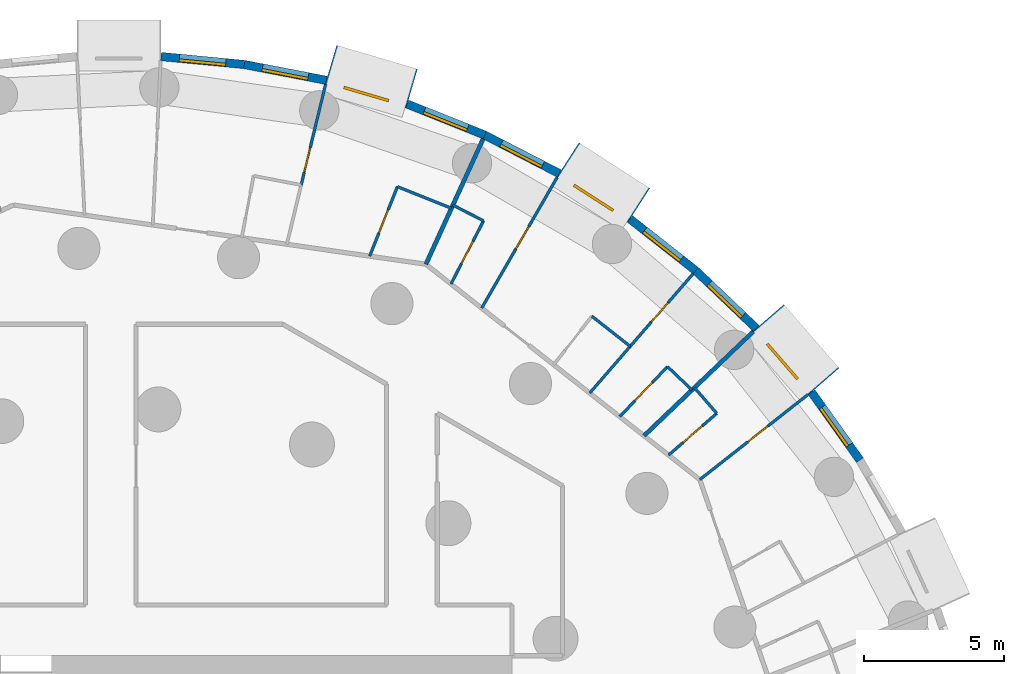
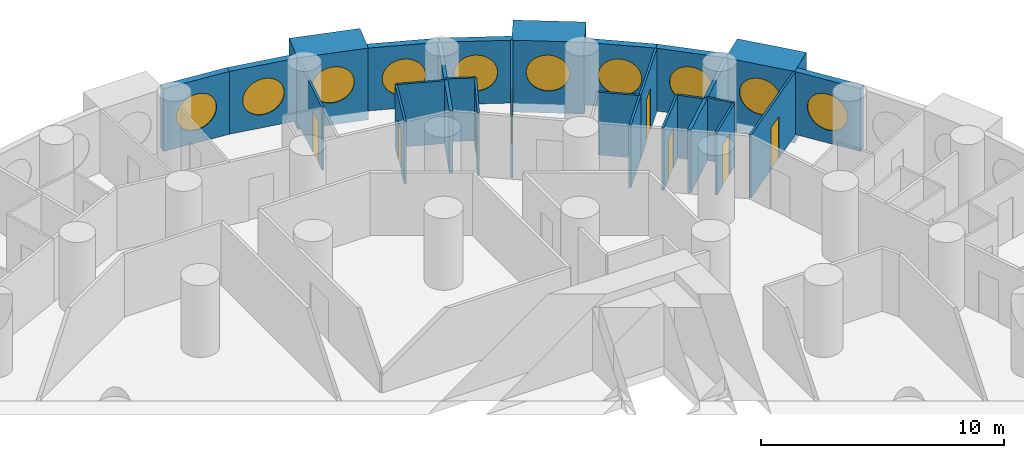
# One storey, part 10 of 12: 26 walls, 10 windows, 8 doors, 18 openings.
"""IFC4 building model written with IfcOpenShell, lengths in metres."""

from ifc_helpers import new_model, si_unit, direction, frame, frame_2d, origin, origin_2d, place, context, subcontext, project, spatial, rectangle, circle, extrude, material, layer, layer_set, type_object, element, fill, save


model = new_model("IFC4")

# Units and contexts
model_context = context("Model", 3, precision=1e-05, world=origin(), true_north=direction((0.0, 1.0)))
body_context = subcontext(model_context, "Body", "Model", "MODEL_VIEW")
ifc_project = project(units=[si_unit("LENGTHUNIT", "METRE"), si_unit("AREAUNIT", "SQUARE_METRE"), si_unit("VOLUMEUNIT", "CUBIC_METRE"), si_unit("PLANEANGLEUNIT", "RADIAN"), si_unit("MASSUNIT", "GRAM", prefix="KILO")], contexts=[model_context])

# Site, building, storey
site_placement = place(None, origin())
site = spatial("IfcSite", under=ifc_project, at=site_placement, CompositionType="ELEMENT")
building_placement = place(site_placement, origin())
building = spatial("IfcBuilding", under=site, at=building_placement, Name="Tracery Tower", CompositionType="ELEMENT")
storey_placement = place(building_placement, frame((0.0, 0.0, 46.199951171875)))
storey = spatial("IfcBuildingStorey", under=building, at=storey_placement, Name="L10", CompositionType="ELEMENT", Elevation=46.199951171875)

# Wall, opening, window
ifc_material_1 = material(Name="Precast concrete C50/60", Category="concrete")
ifc_layer_1 = layer(ifc_material_1, 1.449951171875)
ifc_layer_set_1 = layer_set([ifc_layer_1], Name="Deep-set bay unit 3000 x 3600, slab edge 450")
wall_type_1 = type_object("IfcWallType", Name="Deep-set bay unit 3000 x 3600, slab edge 450", PredefinedType="ELEMENTEDWALL", material=ifc_layer_set_1)
wall_1_placement = place(storey_placement, frame((25.101318359375, 19.765625, -0.449951171875), z_axis=(0.0, 0.0, 1.0), x_axis=(-0.654890259022, 0.75572398972, 0.0)))
wall_1 = element("IfcWall", 1, at=wall_1_placement, inside=storey, type_object=wall_type_1, Name="Deep-set bay unit 8 at L10", PredefinedType="ELEMENTEDWALL", context=body_context, shape_type="SweptSolid", body=[
    extrude(rectangle(XDim=3.0, YDim=1.449951171875, at=frame_2d((1.5, 0.0))), origin(), (0.0, 0.0, 1.0), 3.60009765625),
])
opening_1_placement = place(wall_1_placement, frame((1.5, 0.0, 2.0)))
opening_1 = element("IfcOpeningElement", 2, at=opening_1_placement, cuts=wall_1, Name="Opening WN1", PredefinedType="OPENING", context=body_context, shape_type="SweptSolid", body=[
    extrude(circle(Radius=0.9000244140625, at=origin_2d()), frame((0.0, 0.73486328125, 0.0), z_axis=(0.0, -1.0, 0.0), x_axis=(1.0, 0.0, 0.0)), (0.0, 0.0, 1.0), 1.469970703125),
])
ifc_material_2 = material(Name="Aluminium frame with tinted double glazing", Category="aluminium")
window_type = type_object("IfcWindowType", Name="Round window 1800", PartitioningType="SINGLE_PANEL", PredefinedType="WINDOW", material=ifc_material_2)
window_1_placement = place(opening_1_placement, origin())
window_1 = element("IfcWindow", 3, at=window_1_placement, inside=storey, type_object=window_type, Name="Round window 8 at L10", OverallHeight=1.800048828125, OverallWidth=1.800048828125, PartitioningType="SINGLE_PANEL", PredefinedType="WINDOW", context=body_context, shape_type="SweptSolid", body=[
    extrude(circle(Radius=0.9000244140625, at=origin_2d()), frame((0.0, 0.69482421875, 0.0), z_axis=(0.0, -1.0, 0.0), x_axis=(1.0, 0.0, 0.0)), (0.0, 0.0, 1.0), 0.10009765625),
])
fill(opening_1, window_1)

wall_2_placement = place(storey_placement, frame((18.515869140625, 26.03662109375, -0.449951171875), z_axis=(0.0, 0.0, 1.0), x_axis=(-0.841223422347, 0.540687667415, 0.0)))
wall_2 = element("IfcWall", 4, at=wall_2_placement, inside=storey, type_object=wall_type_1, Name="Deep-set bay unit 11 at L10", PredefinedType="ELEMENTEDWALL", context=body_context, shape_type="SweptSolid", body=[
    extrude(rectangle(XDim=3.0, YDim=1.449951171875, at=frame_2d((1.5, 0.0))), origin(), (0.0, 0.0, 1.0), 3.60009765625),
])
opening_2_placement = place(wall_2_placement, frame((1.5, 0.0, 2.0)))
opening_2 = element("IfcOpeningElement", 5, at=opening_2_placement, cuts=wall_2, Name="Opening WN1", PredefinedType="OPENING", context=body_context, shape_type="SweptSolid", body=[
    extrude(circle(Radius=0.9000244140625, at=origin_2d()), frame((0.0, 0.73486328125, 0.0), z_axis=(0.0, -1.0, 0.0), x_axis=(1.0, 0.0, 0.0)), (0.0, 0.0, 1.0), 1.469970703125),
])
window_2_placement = place(opening_2_placement, origin())
window_2 = element("IfcWindow", 6, at=window_2_placement, inside=storey, type_object=window_type, Name="Round window 11 at L10", OverallHeight=1.800048828125, OverallWidth=1.800048828125, PartitioningType="SINGLE_PANEL", PredefinedType="WINDOW", context=body_context, shape_type="SweptSolid", body=[
    extrude(circle(Radius=0.9000244140625, at=origin_2d()), frame((0.0, 0.69482421875, 0.0), z_axis=(0.0, -1.0, 0.0), x_axis=(1.0, 0.0, 0.0)), (0.0, 0.0, 1.0), 0.10009765625),
])
fill(opening_2, window_2)

wall_3_placement = place(storey_placement, frame((10.430419921875, 30.198486328125, -0.449951171875), z_axis=(0.0, 0.0, 1.0), x_axis=(-0.959489813418, 0.281743319258, 0.0)))
wall_3 = element("IfcWall", 7, at=wall_3_placement, inside=storey, type_object=wall_type_1, Name="Deep-set bay unit 14 at L10", PredefinedType="ELEMENTEDWALL", context=body_context, shape_type="SweptSolid", body=[
    extrude(rectangle(XDim=3.0, YDim=1.449951171875, at=frame_2d((1.5, 0.0))), origin(), (0.0, 0.0, 1.0), 3.60009765625),
])
opening_3_placement = place(wall_3_placement, frame((1.5, 0.0, 2.0)))
opening_3 = element("IfcOpeningElement", 8, at=opening_3_placement, cuts=wall_3, Name="Opening WN1", PredefinedType="OPENING", context=body_context, shape_type="SweptSolid", body=[
    extrude(circle(Radius=0.9000244140625, at=origin_2d()), frame((0.0, 0.73486328125, 0.0), z_axis=(0.0, -1.0, 0.0), x_axis=(1.0, 0.0, 0.0)), (0.0, 0.0, 1.0), 1.469970703125),
])
window_3_placement = place(opening_3_placement, origin())
window_3 = element("IfcWindow", 9, at=window_3_placement, inside=storey, type_object=window_type, Name="Round window 14 at L10", OverallHeight=1.800048828125, OverallWidth=1.800048828125, PartitioningType="SINGLE_PANEL", PredefinedType="WINDOW", context=body_context, shape_type="SweptSolid", body=[
    extrude(circle(Radius=0.9000244140625, at=origin_2d()), frame((0.0, 0.69482421875, 0.0), z_axis=(0.0, -1.0, 0.0), x_axis=(1.0, 0.0, 0.0)), (0.0, 0.0, 1.0), 0.10009765625),
])
fill(opening_3, window_3)

ifc_material_3 = material(Name="Precast concrete C50/60", Category="concrete")
ifc_layer_2 = layer(ifc_material_3, 0.300048828125)
ifc_layer_set_2 = layer_set([ifc_layer_2], Name="Facade panel 3000 x 3150")
wall_type_2 = type_object("IfcWallType", Name="Facade panel 3000 x 3150", PredefinedType="SOLIDWALL", material=ifc_layer_set_2)
wall_4_placement = place(storey_placement, frame((26.393798828125, 16.96240234375, 0.0), z_axis=(0.0, 0.0, 1.0), x_axis=(-0.580059407678, 0.81457417315, 0.0)))
wall_4 = element("IfcWall", 10, at=wall_4_placement, inside=storey, type_object=wall_type_2, Name="Facade panel 7 at L10", PredefinedType="SOLIDWALL", context=body_context, shape_type="SweptSolid", body=[
    extrude(rectangle(XDim=2.9794921875, YDim=0.300048828125, at=frame_2d((1.48974609375, 0.0))), origin(), (0.0, 0.0, 1.0), 3.150146484375),
])
opening_4_placement = place(wall_4_placement, frame((1.48974609375, 0.0, 1.5498046875)))
opening_4 = element("IfcOpeningElement", 11, at=opening_4_placement, cuts=wall_4, Name="Opening WN1", PredefinedType="OPENING", context=body_context, shape_type="SweptSolid", body=[
    extrude(circle(Radius=0.9000244140625, at=origin_2d()), frame((0.0, 0.159912109375, 0.0), z_axis=(0.0, -1.0, 0.0), x_axis=(1.0, 0.0, 0.0)), (0.0, 0.0, 1.0), 0.320068359375),
])
window_4_placement = place(opening_4_placement, origin())
window_4 = element("IfcWindow", 12, at=window_4_placement, inside=storey, type_object=window_type, Name="Round window 7 at L10", OverallHeight=1.800048828125, OverallWidth=1.800048828125, PartitioningType="SINGLE_PANEL", PredefinedType="WINDOW", context=body_context, shape_type="SweptSolid", body=[
    extrude(circle(Radius=0.9000244140625, at=origin_2d()), frame((0.0, 0.1201171875, 0.0), z_axis=(0.0, -1.0, 0.0), x_axis=(1.0, 0.0, 0.0)), (0.0, 0.0, 1.0), 0.10009765625),
])
fill(opening_4, window_4)

wall_5_placement = place(storey_placement, frame((22.702392578125, 21.655029296875, 0.0), z_axis=(0.0, 0.0, 1.0), x_axis=(-0.723744206617, 0.690068346896, 0.0)))
wall_5 = element("IfcWall", 13, at=wall_5_placement, inside=storey, type_object=wall_type_2, Name="Facade panel 9 at L10", PredefinedType="SOLIDWALL", context=body_context, shape_type="SweptSolid", body=[
    extrude(rectangle(XDim=2.979736328125, YDim=0.300048828125, at=frame_2d((1.48974609375, 0.0))), origin(), (0.0, 0.0, 1.0), 3.150146484375),
])
opening_5_placement = place(wall_5_placement, frame((1.48974609375, 0.0, 1.5498046875)))
opening_5 = element("IfcOpeningElement", 14, at=opening_5_placement, cuts=wall_5, Name="Opening WN1", PredefinedType="OPENING", context=body_context, shape_type="SweptSolid", body=[
    extrude(circle(Radius=0.9000244140625, at=origin_2d()), frame((0.0, 0.159912109375, 0.0), z_axis=(0.0, -1.0, 0.0), x_axis=(1.0, 0.0, 0.0)), (0.0, 0.0, 1.0), 0.320068359375),
])
window_5_placement = place(opening_5_placement, origin())
window_5 = element("IfcWindow", 15, at=window_5_placement, inside=storey, type_object=window_type, Name="Round window 9 at L10", OverallHeight=1.800048828125, OverallWidth=1.800048828125, PartitioningType="SINGLE_PANEL", PredefinedType="WINDOW", context=body_context, shape_type="SweptSolid", body=[
    extrude(circle(Radius=0.9000244140625, at=origin_2d()), frame((0.0, 0.1201171875, 0.0), z_axis=(0.0, -1.0, 0.0), x_axis=(1.0, 0.0, 0.0)), (0.0, 0.0, 1.0), 0.10009765625),
])
fill(opening_5, window_5)

wall_6_placement = place(storey_placement, frame((20.5458984375, 23.711181640625, 0.0), z_axis=(0.0, 0.0, 1.0), x_axis=(-0.786045331304, 0.618168858108, 0.0)))
wall_6 = element("IfcWall", 16, at=wall_6_placement, inside=storey, type_object=wall_type_2, Name="Facade panel 10 at L10", PredefinedType="SOLIDWALL", context=body_context, shape_type="SweptSolid", body=[
    extrude(rectangle(XDim=2.979736328125, YDim=0.300048828125, at=frame_2d((1.48974609375, 0.0))), origin(), (0.0, 0.0, 1.0), 3.150146484375),
])
opening_6_placement = place(wall_6_placement, frame((1.48974609375, 0.0, 1.5498046875)))
opening_6 = element("IfcOpeningElement", 17, at=opening_6_placement, cuts=wall_6, Name="Opening WN1", PredefinedType="OPENING", context=body_context, shape_type="SweptSolid", body=[
    extrude(circle(Radius=0.9000244140625, at=origin_2d()), frame((0.0, 0.159912109375, 0.0), z_axis=(0.0, -1.0, 0.0), x_axis=(1.0, 0.0, 0.0)), (0.0, 0.0, 1.0), 0.320068359375),
])
window_6_placement = place(opening_6_placement, origin())
window_6 = element("IfcWindow", 18, at=window_6_placement, inside=storey, type_object=window_type, Name="Round window 10 at L10", OverallHeight=1.800048828125, OverallWidth=1.800048828125, PartitioningType="SINGLE_PANEL", PredefinedType="WINDOW", context=body_context, shape_type="SweptSolid", body=[
    extrude(circle(Radius=0.9000244140625, at=origin_2d()), frame((0.0, 0.1201171875, 0.0), z_axis=(0.0, -1.0, 0.0), x_axis=(1.0, 0.0, 0.0)), (0.0, 0.0, 1.0), 0.10009765625),
])
fill(opening_6, window_6)

wall_7_placement = place(storey_placement, frame((15.681884765625, 27.173828125, 0.0), z_axis=(0.0, 0.0, 1.0), x_axis=(-0.888819853856, 0.458256770153, 0.0)))
wall_7 = element("IfcWall", 19, at=wall_7_placement, inside=storey, type_object=wall_type_2, Name="Facade panel 12 at L10", PredefinedType="SOLIDWALL", context=body_context, shape_type="SweptSolid", body=[
    extrude(rectangle(XDim=2.979736328125, YDim=0.300048828125, at=frame_2d((1.48974609375, 0.0))), origin(), (0.0, 0.0, 1.0), 3.150146484375),
])
opening_7_placement = place(wall_7_placement, frame((1.48974609375, 0.0, 1.5498046875)))
opening_7 = element("IfcOpeningElement", 20, at=opening_7_placement, cuts=wall_7, Name="Opening WN1", PredefinedType="OPENING", context=body_context, shape_type="SweptSolid", body=[
    extrude(circle(Radius=0.9000244140625, at=origin_2d()), frame((0.0, 0.159912109375, 0.0), z_axis=(0.0, -1.0, 0.0), x_axis=(1.0, 0.0, 0.0)), (0.0, 0.0, 1.0), 0.320068359375),
])
window_7_placement = place(opening_7_placement, origin())
window_7 = element("IfcWindow", 21, at=window_7_placement, inside=storey, type_object=window_type, Name="Round window 12 at L10", OverallHeight=1.800048828125, OverallWidth=1.800048828125, PartitioningType="SINGLE_PANEL", PredefinedType="WINDOW", context=body_context, shape_type="SweptSolid", body=[
    extrude(circle(Radius=0.9000244140625, at=origin_2d()), frame((0.0, 0.1201171875, 0.0), z_axis=(0.0, -1.0, 0.0), x_axis=(1.0, 0.0, 0.0)), (0.0, 0.0, 1.0), 0.10009765625),
])
fill(opening_7, window_7)

wall_8_placement = place(storey_placement, frame((13.033447265625, 28.539306640625, 0.0), z_axis=(0.0, 0.0, 1.0), x_axis=(-0.928403213937, 0.371574316054, 0.0)))
wall_8 = element("IfcWall", 22, at=wall_8_placement, inside=storey, type_object=wall_type_2, Name="Facade panel 13 at L10", PredefinedType="SOLIDWALL", context=body_context, shape_type="SweptSolid", body=[
    extrude(rectangle(XDim=2.979736328125, YDim=0.300048828125, at=frame_2d((1.48974609375, 0.0))), origin(), (0.0, 0.0, 1.0), 3.150146484375),
])
opening_8_placement = place(wall_8_placement, frame((1.48974609375, 0.0, 1.5498046875)))
opening_8 = element("IfcOpeningElement", 23, at=opening_8_placement, cuts=wall_8, Name="Opening WN1", PredefinedType="OPENING", context=body_context, shape_type="SweptSolid", body=[
    extrude(circle(Radius=0.9000244140625, at=origin_2d()), frame((0.0, 0.159912109375, 0.0), z_axis=(0.0, -1.0, 0.0), x_axis=(1.0, 0.0, 0.0)), (0.0, 0.0, 1.0), 0.320068359375),
])
window_8_placement = place(opening_8_placement, origin())
window_8 = element("IfcWindow", 24, at=window_8_placement, inside=storey, type_object=window_type, Name="Round window 13 at L10", OverallHeight=1.800048828125, OverallWidth=1.800048828125, PartitioningType="SINGLE_PANEL", PredefinedType="WINDOW", context=body_context, shape_type="SweptSolid", body=[
    extrude(circle(Radius=0.9000244140625, at=origin_2d()), frame((0.0, 0.1201171875, 0.0), z_axis=(0.0, -1.0, 0.0), x_axis=(1.0, 0.0, 0.0)), (0.0, 0.0, 1.0), 0.10009765625),
])
fill(opening_8, window_8)

wall_9_placement = place(storey_placement, frame((7.390869140625, 30.4912109375, 0.0), z_axis=(0.0, 0.0, 1.0), x_axis=(-0.981924535406, 0.189272836848, 0.0)))
wall_9 = element("IfcWall", 25, at=wall_9_placement, inside=storey, type_object=wall_type_2, Name="Facade panel 15 at L10", PredefinedType="SOLIDWALL", context=body_context, shape_type="SweptSolid", body=[
    extrude(rectangle(XDim=2.979736328125, YDim=0.300048828125, at=frame_2d((1.48974609375, 0.0))), origin(), (0.0, 0.0, 1.0), 3.150146484375),
])
opening_9_placement = place(wall_9_placement, frame((1.48974609375, 0.0, 1.5498046875)))
opening_9 = element("IfcOpeningElement", 26, at=opening_9_placement, cuts=wall_9, Name="Opening WN1", PredefinedType="OPENING", context=body_context, shape_type="SweptSolid", body=[
    extrude(circle(Radius=0.9000244140625, at=origin_2d()), frame((0.0, 0.159912109375, 0.0), z_axis=(0.0, -1.0, 0.0), x_axis=(1.0, 0.0, 0.0)), (0.0, 0.0, 1.0), 0.320068359375),
])
window_9_placement = place(opening_9_placement, origin())
window_9 = element("IfcWindow", 27, at=window_9_placement, inside=storey, type_object=window_type, Name="Round window 15 at L10", OverallHeight=1.800048828125, OverallWidth=1.800048828125, PartitioningType="SINGLE_PANEL", PredefinedType="WINDOW", context=body_context, shape_type="SweptSolid", body=[
    extrude(circle(Radius=0.9000244140625, at=origin_2d()), frame((0.0, 0.1201171875, 0.0), z_axis=(0.0, -1.0, 0.0), x_axis=(1.0, 0.0, 0.0)), (0.0, 0.0, 1.0), 0.10009765625),
])
fill(opening_9, window_9)

wall_10_placement = place(storey_placement, frame((4.465087890625, 31.05517578125, 0.0), z_axis=(0.0, 0.0, 1.0), x_axis=(-0.995473351551, 0.095041077185, 0.0)))
wall_10 = element("IfcWall", 28, at=wall_10_placement, inside=storey, type_object=wall_type_2, Name="Facade panel 16 at L10", PredefinedType="SOLIDWALL", context=body_context, shape_type="SweptSolid", body=[
    extrude(rectangle(XDim=2.979736328125, YDim=0.300048828125, at=frame_2d((1.48974609375, 0.0))), origin(), (0.0, 0.0, 1.0), 3.150146484375),
])
opening_10_placement = place(wall_10_placement, frame((1.48974609375, 0.0, 1.5498046875)))
opening_10 = element("IfcOpeningElement", 29, at=opening_10_placement, cuts=wall_10, Name="Opening WN1", PredefinedType="OPENING", context=body_context, shape_type="SweptSolid", body=[
    extrude(circle(Radius=0.9000244140625, at=origin_2d()), frame((0.0, 0.159912109375, 0.0), z_axis=(0.0, -1.0, 0.0), x_axis=(1.0, 0.0, 0.0)), (0.0, 0.0, 1.0), 0.320068359375),
])
window_10_placement = place(opening_10_placement, origin())
window_10 = element("IfcWindow", 30, at=window_10_placement, inside=storey, type_object=window_type, Name="Round window 16 at L10", OverallHeight=1.800048828125, OverallWidth=1.800048828125, PartitioningType="SINGLE_PANEL", PredefinedType="WINDOW", context=body_context, shape_type="SweptSolid", body=[
    extrude(circle(Radius=0.9000244140625, at=origin_2d()), frame((0.0, 0.1201171875, 0.0), z_axis=(0.0, -1.0, 0.0), x_axis=(1.0, 0.0, 0.0)), (0.0, 0.0, 1.0), 0.10009765625),
])
fill(opening_10, window_10)

# Wall, opening, door
ifc_material_4 = material(Name="Plasterboard on steel studs", Category="steel")
ifc_layer_3 = layer(ifc_material_4, 0.10009765625)
ifc_layer_set_3 = layer_set([ifc_layer_3], Name="Partition 100 stud")
wall_type_3 = type_object("IfcWallType", Name="Partition 100 stud", PredefinedType="PARTITIONING", material=ifc_layer_set_3)
wall_11_placement = place(storey_placement, frame((20.68798828125, 16.26904296875, 0.0), z_axis=(0.0, 0.0, 1.0), x_axis=(0.78599357822, 0.618234660139, 0.0)))
wall_11 = element("IfcWall", 31, at=wall_11_placement, inside=storey, type_object=wall_type_3, Name="Stud partition RA2-073", PredefinedType="PARTITIONING", context=body_context, shape_type="SweptSolid", body=[
    extrude(rectangle(XDim=4.90576171875, YDim=0.10009765625, at=frame_2d((2.452880859375, 0.0))), origin(), (0.0, 0.0, 1.0), 3.150146484375),
])
opening_11_placement = place(wall_11_placement, frame((2.18310546875, 0.0, 0.0)))
opening_11 = element("IfcOpeningElement", 32, at=opening_11_placement, cuts=wall_11, Name="Opening RA2-19", PredefinedType="OPENING", context=body_context, shape_type="SweptSolid", body=[
    extrude(rectangle(XDim=0.89990234375, YDim=2.10009765625, at=frame_2d((0.449951171875, 1.050048828125))), frame((0.0, 0.050048828125, 0.0), z_axis=(0.0, -1.0, 0.0), x_axis=(1.0, 0.0, 0.0)), (0.0, 0.0, 1.0), 0.10009765625),
])
ifc_material_5 = material(Name="Timber door leaf", Category="wood")
door_type_1 = type_object("IfcDoorType", Name="Door bedroom 900", OperationType="NOTDEFINED", PredefinedType="DOOR", material=ifc_material_5)
door_1_placement = place(opening_11_placement, origin())
door_1 = element("IfcDoor", 33, at=door_1_placement, inside=storey, type_object=door_type_1, Name="Bedroom door RA2-19", OperationType="SINGLE_SWING_RIGHT", OverallHeight=2.10009765625, OverallWidth=0.89990234375, PredefinedType="DOOR", context=body_context, shape_type="SweptSolid", body=[
    extrude(rectangle(XDim=0.89990234375, YDim=2.10009765625, at=frame_2d((0.449951171875, 1.050048828125))), frame((0.0, 0.02490234375, 0.0), z_axis=(0.0, -1.0, 0.0), x_axis=(1.0, 0.0, 0.0)), (0.0, 0.0, 1.0), 0.050048828125),
])
fill(opening_11, door_1)

wall_12_placement = place(storey_placement, frame((18.2099609375, 21.01611328125, 0.0), z_axis=(0.0, 0.0, 1.0), x_axis=(0.655012143666, 0.755618350525, 0.0)))
wall_12 = element("IfcWall", 34, at=wall_12_placement, inside=storey, type_object=wall_type_3, Name="Stud partition RA2-082", PredefinedType="PARTITIONING", context=body_context, shape_type="SweptSolid", body=[
    extrude(rectangle(XDim=3.416748046875, YDim=0.10009765625, at=frame_2d((1.70849609375, 0.0))), origin(), (0.0, 0.0, 1.0), 3.150146484375),
])
opening_12_placement = place(wall_12_placement, frame((1.15283203125, 0.0, 0.0)))
opening_12 = element("IfcOpeningElement", 35, at=opening_12_placement, cuts=wall_12, Name="Opening RA2-23", PredefinedType="OPENING", context=body_context, shape_type="SweptSolid", body=[
    extrude(rectangle(XDim=0.89990234375, YDim=2.10009765625, at=frame_2d((0.449951171875, 1.050048828125))), frame((0.0, 0.050048828125, 0.0), z_axis=(0.0, -1.0, 0.0), x_axis=(1.0, 0.0, 0.0)), (0.0, 0.0, 1.0), 0.10009765625),
])
door_2_placement = place(opening_12_placement, origin())
door_2 = element("IfcDoor", 36, at=door_2_placement, inside=storey, type_object=door_type_1, Name="Bedroom door RA2-23", OperationType="SINGLE_SWING_RIGHT", OverallHeight=2.10009765625, OverallWidth=0.89990234375, PredefinedType="DOOR", context=body_context, shape_type="SweptSolid", body=[
    extrude(rectangle(XDim=0.89990234375, YDim=2.10009765625, at=frame_2d((0.449951171875, 1.050048828125))), frame((0.0, 0.02490234375, 0.0), z_axis=(0.0, -1.0, 0.0), x_axis=(1.0, 0.0, 0.0)), (0.0, 0.0, 1.0), 0.050048828125),
])
fill(opening_12, door_2)

wall_13_placement = place(storey_placement, frame((12.919921875, 22.3779296875, 0.0), z_axis=(0.0, 0.0, 1.0), x_axis=(0.49998673258, 0.866033063597, 0.0)))
wall_13 = element("IfcWall", 37, at=wall_13_placement, inside=storey, type_object=wall_type_3, Name="Stud partition RA2-083", PredefinedType="PARTITIONING", context=body_context, shape_type="SweptSolid", body=[
    extrude(rectangle(XDim=5.384521484375, YDim=0.10009765625, at=frame_2d((2.6923828125, 0.0))), origin(), (0.0, 0.0, 1.0), 3.150146484375),
])
opening_13_placement = place(wall_13_placement, frame((2.446044921875, 0.0, 0.0)))
opening_13 = element("IfcOpeningElement", 38, at=opening_13_placement, cuts=wall_13, Name="Opening RA2-25", PredefinedType="OPENING", context=body_context, shape_type="SweptSolid", body=[
    extrude(rectangle(XDim=0.89990234375, YDim=2.10009765625, at=frame_2d((0.449951171875, 1.050048828125))), frame((0.0, 0.050048828125, 0.0), z_axis=(0.0, -1.0, 0.0), x_axis=(1.0, 0.0, 0.0)), (0.0, 0.0, 1.0), 0.10009765625),
])
door_3_placement = place(opening_13_placement, origin())
door_3 = element("IfcDoor", 39, at=door_3_placement, inside=storey, type_object=door_type_1, Name="Bedroom door RA2-25", OperationType="SINGLE_SWING_RIGHT", OverallHeight=2.10009765625, OverallWidth=0.89990234375, PredefinedType="DOOR", context=body_context, shape_type="SweptSolid", body=[
    extrude(rectangle(XDim=0.89990234375, YDim=2.10009765625, at=frame_2d((0.449951171875, 1.050048828125))), frame((0.0, 0.02490234375, 0.0), z_axis=(0.0, -1.0, 0.0), x_axis=(1.0, 0.0, 0.0)), (0.0, 0.0, 1.0), 0.050048828125),
])
fill(opening_13, door_3)

wall_14_placement = place(storey_placement, frame((6.491943359375, 26.761962890625, 0.0), z_axis=(0.0, 0.0, 1.0), x_axis=(0.235797175218, 0.971802290674, 0.0)))
wall_14 = element("IfcWall", 40, at=wall_14_placement, inside=storey, type_object=wall_type_3, Name="Stud partition RA2-093", PredefinedType="PARTITIONING", context=body_context, shape_type="SweptSolid", body=[
    extrude(rectangle(XDim=3.68603515625, YDim=0.10009765625, at=frame_2d((1.843017578125, 0.0))), origin(), (0.0, 0.0, 1.0), 3.150146484375),
])
opening_14_placement = place(wall_14_placement, frame((0.473876953125, 0.0, 0.0)))
opening_14 = element("IfcOpeningElement", 41, at=opening_14_placement, cuts=wall_14, Name="Opening RA2-30", PredefinedType="OPENING", context=body_context, shape_type="SweptSolid", body=[
    extrude(rectangle(XDim=0.89990234375, YDim=2.10009765625, at=frame_2d((0.449951171875, 1.050048828125))), frame((0.0, 0.050048828125, 0.0), z_axis=(0.0, -1.0, 0.0), x_axis=(1.0, 0.0, 0.0)), (0.0, 0.0, 1.0), 0.10009765625),
])
door_4_placement = place(opening_14_placement, origin())
door_4 = element("IfcDoor", 42, at=door_4_placement, inside=storey, type_object=door_type_1, Name="Bedroom door RA2-30", OperationType="SINGLE_SWING_RIGHT", OverallHeight=2.10009765625, OverallWidth=0.89990234375, PredefinedType="DOOR", context=body_context, shape_type="SweptSolid", body=[
    extrude(rectangle(XDim=0.89990234375, YDim=2.10009765625, at=frame_2d((0.449951171875, 1.050048828125))), frame((0.0, 0.02490234375, 0.0), z_axis=(0.0, -1.0, 0.0), x_axis=(1.0, 0.0, 0.0)), (0.0, 0.0, 1.0), 0.050048828125),
])
fill(opening_14, door_4)

ifc_material_6 = material(Name="Plasterboard on steel studs", Category="steel")
ifc_layer_4 = layer(ifc_material_6, 0.10009765625)
ifc_layer_set_4 = layer_set([ifc_layer_4], Name="Partition 100 wet wall")
wall_type_4 = type_object("IfcWallType", Name="Partition 100 wet wall", PredefinedType="PARTITIONING", material=ifc_layer_set_4)
wall_15_placement = place(storey_placement, frame((19.576904296875, 17.14306640625, 0.0), z_axis=(0.0, 0.0, 1.0), x_axis=(0.755813315469, 0.654787165543, 0.0)))
wall_15 = element("IfcWall", 43, at=wall_15_placement, inside=storey, type_object=wall_type_4, Name="Wet wall RA2-077", PredefinedType="PARTITIONING", context=body_context, shape_type="SweptSolid", body=[
    extrude(rectangle(XDim=2.269287109375, YDim=0.10009765625, at=frame_2d((1.134765625, 0.0))), origin(), (0.0, 0.0, 1.0), 3.150146484375),
])
opening_15_placement = place(wall_15_placement, frame((0.68505859375, 0.0, 0.0)))
opening_15 = element("IfcOpeningElement", 44, at=opening_15_placement, cuts=wall_15, Name="Opening RA2-20", PredefinedType="OPENING", context=body_context, shape_type="SweptSolid", body=[
    extrude(rectangle(XDim=0.89990234375, YDim=2.0400390625, at=frame_2d((0.449951171875, 1.02001953125))), frame((0.0, 0.050048828125, 0.0), z_axis=(0.0, -1.0, 0.0), x_axis=(1.0, 0.0, 0.0)), (0.0, 0.0, 1.0), 0.10009765625),
])
ifc_material_7 = material(Name="Timber door leaf", Category="wood")
door_type_2 = type_object("IfcDoorType", Name="Door en-suite 900", OperationType="NOTDEFINED", PredefinedType="DOOR", material=ifc_material_7)
door_5_placement = place(opening_15_placement, origin())
door_5 = element("IfcDoor", 45, at=door_5_placement, inside=storey, type_object=door_type_2, Name="En-suite door RA2-20", OperationType="SINGLE_SWING_RIGHT", OverallHeight=2.0400390625, OverallWidth=0.89990234375, PredefinedType="DOOR", context=body_context, shape_type="SweptSolid", body=[
    extrude(rectangle(XDim=0.89990234375, YDim=2.0400390625, at=frame_2d((0.449951171875, 1.02001953125))), frame((0.0, 0.02490234375, 0.0), z_axis=(0.0, -1.0, 0.0), x_axis=(1.0, 0.0, 0.0)), (0.0, 0.0, 1.0), 0.050048828125),
])
fill(opening_15, door_5)

# Walls
wall_16_placement = place(storey_placement, frame((20.4990234375, 19.544921875, 0.0), z_axis=(0.0, 0.0, 1.0), x_axis=(0.654500819756, -0.756061291787, 0.0)))
element("IfcWall", 46, at=wall_16_placement, inside=storey, type_object=wall_type_4, Name="Wet wall RA2-078", PredefinedType="PARTITIONING", context=body_context, shape_type="SweptSolid", body=[
    extrude(rectangle(XDim=1.211669921875, YDim=0.10009765625, at=frame_2d((0.60595703125, 0.0))), origin(), (0.0, 0.0, 1.0), 3.150146484375),
])
wall_17_placement = place(storey_placement, frame((16.844970703125, 22.090087890625, 0.0), z_axis=(0.0, 0.0, 1.0), x_axis=(0.785903559082, -0.618349088964, 0.0)))
element("IfcWall", 47, at=wall_17_placement, inside=storey, type_object=wall_type_4, Name="Wet wall RA2-080", PredefinedType="PARTITIONING", context=body_context, shape_type="SweptSolid", body=[
    extrude(rectangle(XDim=1.73681640625, YDim=0.10009765625, at=frame_2d((0.868408203125, 0.0))), origin(), (0.0, 0.0, 1.0), 3.150146484375),
])
wall_18_placement = place(storey_placement, frame((16.76806640625, 19.35205078125, 0.0), z_axis=(0.0, 0.0, 1.0), x_axis=(0.654854551667, 0.755754931284, 0.0)))
element("IfcWall", 48, at=wall_18_placement, inside=storey, type_object=wall_type_4, Name="Wet wall RA2-084", PredefinedType="PARTITIONING", context=body_context, shape_type="SweptSolid", body=[
    extrude(rectangle(XDim=2.201904296875, YDim=0.10009765625, at=frame_2d((1.10107421875, 0.0))), origin(), (0.0, 0.0, 1.0), 3.150146484375),
])
wall_19_placement = place(storey_placement, frame((19.5380859375, 20.2939453125, 0.0), z_axis=(0.0, 0.0, 1.0), x_axis=(0.723810439605, -0.689998875013, 0.0)))
element("IfcWall", 49, at=wall_19_placement, inside=storey, type_object=wall_type_4, Name="Wet wall RA2-085", PredefinedType="PARTITIONING", context=body_context, shape_type="SweptSolid", body=[
    extrude(rectangle(XDim=1.205810546875, YDim=0.10009765625, at=frame_2d((0.60302734375, 0.0))), origin(), (0.0, 0.0, 1.0), 3.150146484375),
])

# Wall, opening, door
wall_20_placement = place(storey_placement, frame((17.8369140625, 18.510986328125, 0.0), z_axis=(0.0, 0.0, 1.0), x_axis=(0.690317861289, 0.723506220005, 0.0)))
wall_20 = element("IfcWall", 50, at=wall_20_placement, inside=storey, type_object=wall_type_4, Name="Wet wall RA2-086", PredefinedType="PARTITIONING", context=body_context, shape_type="SweptSolid", body=[
    extrude(rectangle(XDim=2.46435546875, YDim=0.10009765625, at=frame_2d((1.232177734375, 0.0))), origin(), (0.0, 0.0, 1.0), 3.150146484375),
])
opening_16_placement = place(wall_20_placement, frame((0.7822265625, 0.0, 0.0)))
opening_16 = element("IfcOpeningElement", 51, at=opening_16_placement, cuts=wall_20, Name="Opening RA2-24", PredefinedType="OPENING", context=body_context, shape_type="SweptSolid", body=[
    extrude(rectangle(XDim=0.89990234375, YDim=2.0400390625, at=frame_2d((0.449951171875, 1.02001953125))), frame((0.0, 0.050048828125, 0.0), z_axis=(0.0, -1.0, 0.0), x_axis=(1.0, 0.0, 0.0)), (0.0, 0.0, 1.0), 0.10009765625),
])
door_6_placement = place(opening_16_placement, origin())
door_6 = element("IfcDoor", 52, at=door_6_placement, inside=storey, type_object=door_type_2, Name="En-suite door RA2-24", OperationType="SINGLE_SWING_LEFT", OverallHeight=2.0400390625, OverallWidth=0.89990234375, PredefinedType="DOOR", context=body_context, shape_type="SweptSolid", body=[
    extrude(rectangle(XDim=0.89990234375, YDim=2.0400390625, at=frame_2d((0.449951171875, 1.02001953125))), frame((0.0, 0.02490234375, 0.0), z_axis=(0.0, -1.0, 0.0), x_axis=(1.0, 0.0, 0.0)), (0.0, 0.0, 1.0), 0.050048828125),
])
fill(opening_16, door_6)

wall_21_placement = place(storey_placement, frame((11.826904296875, 23.237060546875, 0.0), z_axis=(0.0, 0.0, 1.0), x_axis=(0.45814144004, 0.888879306159, 0.0)))
wall_21 = element("IfcWall", 53, at=wall_21_placement, inside=storey, type_object=wall_type_4, Name="Wet wall RA2-087", PredefinedType="PARTITIONING", context=body_context, shape_type="SweptSolid", body=[
    extrude(rectangle(XDim=2.5302734375, YDim=0.10009765625, at=frame_2d((1.26513671875, 0.0))), origin(), (0.0, 0.0, 1.0), 3.150146484375),
])
opening_17_placement = place(wall_21_placement, frame((0.81494140625, 0.0, 0.0)))
opening_17 = element("IfcOpeningElement", 54, at=opening_17_placement, cuts=wall_21, Name="Opening RA2-26", PredefinedType="OPENING", context=body_context, shape_type="SweptSolid", body=[
    extrude(rectangle(XDim=0.89990234375, YDim=2.0400390625, at=frame_2d((0.449951171875, 1.02001953125))), frame((0.0, 0.050048828125, 0.0), z_axis=(0.0, -1.0, 0.0), x_axis=(1.0, 0.0, 0.0)), (0.0, 0.0, 1.0), 0.10009765625),
])
door_7_placement = place(opening_17_placement, origin())
door_7 = element("IfcDoor", 55, at=door_7_placement, inside=storey, type_object=door_type_2, Name="En-suite door RA2-26", OperationType="SINGLE_SWING_LEFT", OverallHeight=2.0400390625, OverallWidth=0.89990234375, PredefinedType="DOOR", context=body_context, shape_type="SweptSolid", body=[
    extrude(rectangle(XDim=0.89990234375, YDim=2.0400390625, at=frame_2d((0.449951171875, 1.02001953125))), frame((0.0, 0.02490234375, 0.0), z_axis=(0.0, -1.0, 0.0), x_axis=(1.0, 0.0, 0.0)), (0.0, 0.0, 1.0), 0.050048828125),
])
fill(opening_17, door_7)

# Walls
wall_22_placement = place(storey_placement, frame((11.89599609375, 26.048095703125, 0.0), z_axis=(0.0, 0.0, 1.0), x_axis=(0.888824704595, -0.458247361697, 0.0)))
element("IfcWall", 56, at=wall_22_placement, inside=storey, type_object=wall_type_4, Name="Wet wall RA2-088", PredefinedType="PARTITIONING", context=body_context, shape_type="SweptSolid", body=[
    extrude(rectangle(XDim=1.226318359375, YDim=0.10009765625, at=frame_2d((0.61328125, 0.0))), origin(), (0.0, 0.0, 1.0), 3.150146484375),
])
wall_23_placement = place(storey_placement, frame((9.9208984375, 26.7041015625, 0.0), z_axis=(0.0, 0.0, 1.0), x_axis=(0.928346586681, -0.37171577179, 0.0)))
element("IfcWall", 57, at=wall_23_placement, inside=storey, type_object=wall_type_4, Name="Wet wall RA2-096", PredefinedType="PARTITIONING", context=body_context, shape_type="SweptSolid", body=[
    extrude(rectangle(XDim=2.071533203125, YDim=0.10009765625, at=frame_2d((1.03564453125, 0.0))), origin(), (0.0, 0.0, 1.0), 3.150146484375),
])

# Wall, opening, door
wall_24_placement = place(storey_placement, frame((8.929931640625, 24.22802734375, 0.0), z_axis=(0.0, 0.0, 1.0), x_axis=(0.371564281805, 0.928407229876, 0.0)))
wall_24 = element("IfcWall", 58, at=wall_24_placement, inside=storey, type_object=wall_type_4, Name="Wet wall RA2-097", PredefinedType="PARTITIONING", context=body_context, shape_type="SweptSolid", body=[
    extrude(rectangle(XDim=2.6669921875, YDim=0.10009765625, at=frame_2d((1.33349609375, 0.0))), origin(), (0.0, 0.0, 1.0), 3.150146484375),
])
opening_18_placement = place(wall_24_placement, frame((0.884033203125, 0.0, 0.0)))
opening_18 = element("IfcOpeningElement", 59, at=opening_18_placement, cuts=wall_24, Name="Opening RA2-31", PredefinedType="OPENING", context=body_context, shape_type="SweptSolid", body=[
    extrude(rectangle(XDim=0.89990234375, YDim=2.0400390625, at=frame_2d((0.449951171875, 1.02001953125))), frame((0.0, 0.050048828125, 0.0), z_axis=(0.0, -1.0, 0.0), x_axis=(1.0, 0.0, 0.0)), (0.0, 0.0, 1.0), 0.10009765625),
])
door_8_placement = place(opening_18_placement, origin())
door_8 = element("IfcDoor", 60, at=door_8_placement, inside=storey, type_object=door_type_2, Name="En-suite door RA2-31", OperationType="SINGLE_SWING_LEFT", OverallHeight=2.0400390625, OverallWidth=0.89990234375, PredefinedType="DOOR", context=body_context, shape_type="SweptSolid", body=[
    extrude(rectangle(XDim=0.89990234375, YDim=2.0400390625, at=frame_2d((0.449951171875, 1.02001953125))), frame((0.0, 0.02490234375, 0.0), z_axis=(0.0, -1.0, 0.0), x_axis=(1.0, 0.0, 0.0)), (0.0, 0.0, 1.0), 0.050048828125),
])
fill(opening_18, door_8)

# Walls
ifc_material_8 = material(Name="Plasterboard on steel studs", Category="steel")
ifc_layer_5 = layer(ifc_material_8, 0.14990234375)
ifc_layer_set_5 = layer_set([ifc_layer_5], Name="Partition 150 acoustic unit wall")
wall_type_5 = type_object("IfcWallType", Name="Partition 150 acoustic unit wall", PredefinedType="PARTITIONING", material=ifc_layer_set_5)
wall_25_placement = place(storey_placement, frame((18.701904296875, 17.8310546875, 0.0), z_axis=(0.0, 0.0, 1.0), x_axis=(0.723619032975, 0.690199605271, 0.0)))
element("IfcWall", 61, at=wall_25_placement, inside=storey, type_object=wall_type_5, Name="Unit wall RA2-079", PredefinedType="PARTITIONING", context=body_context, shape_type="SweptSolid", body=[
    extrude(rectangle(XDim=5.384033203125, YDim=0.14990234375, at=frame_2d((2.69189453125, 0.0))), origin(), (0.0, 0.0, 1.0), 3.150146484375),
])
wall_26_placement = place(storey_placement, frame((10.93359375, 23.939697265625, 0.0), z_axis=(0.0, 0.0, 1.0), x_axis=(0.415245800153, 0.909709253254, 0.0)))
element("IfcWall", 62, at=wall_26_placement, inside=storey, type_object=wall_type_5, Name="Unit wall RA2-089", PredefinedType="PARTITIONING", context=body_context, shape_type="SweptSolid", body=[
    extrude(rectangle(XDim=4.906494140625, YDim=0.14990234375, at=frame_2d((2.453125, 0.0))), origin(), (0.0, 0.0, 1.0), 3.150146484375),
])

save(model, "model.ifc")
